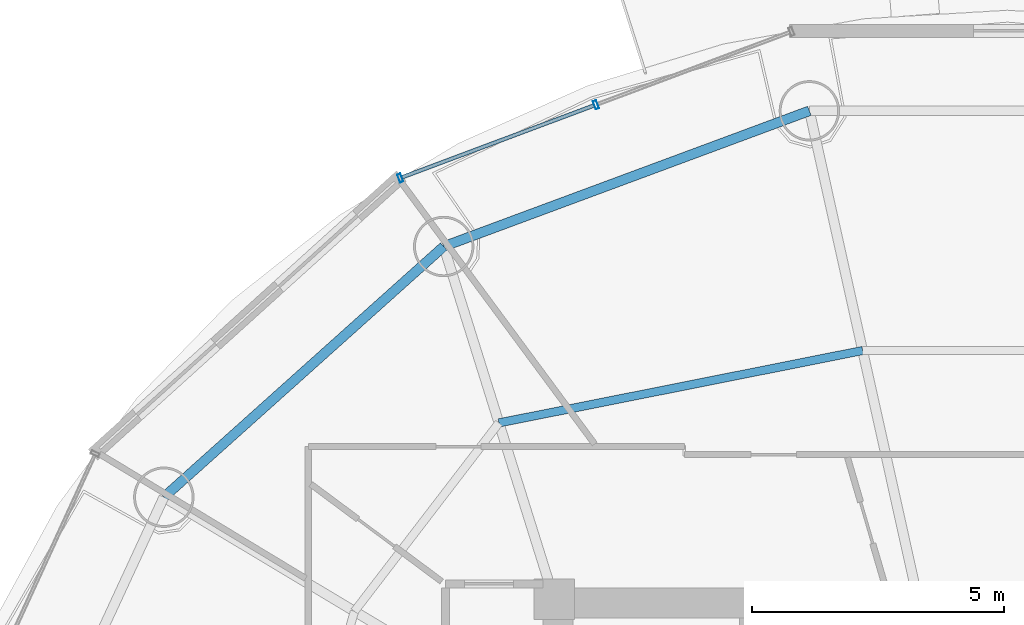
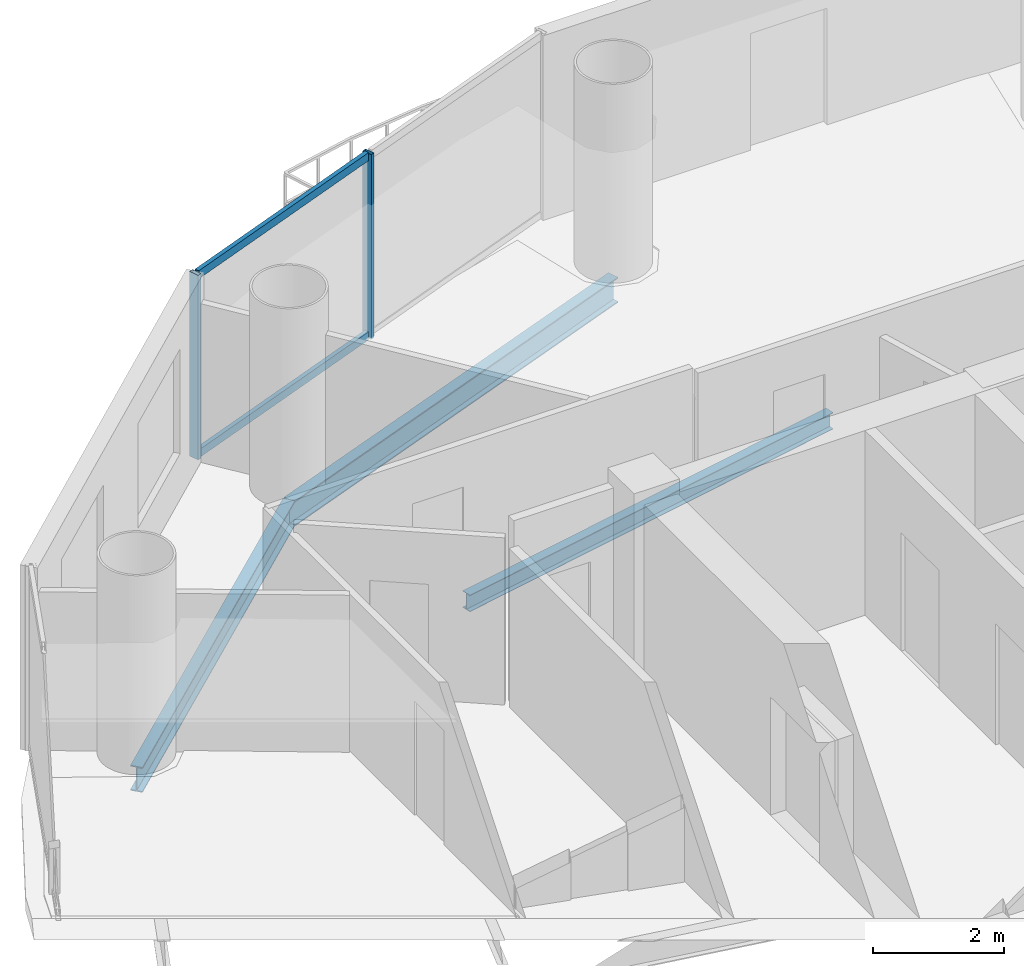
# One storey, part 15 of 26: 4 members, 3 beams, 1 element without a shape of its own.
"""IFC4 building model written with IfcOpenShell, lengths in metres."""

from ifc_helpers import new_model, si_unit, direction, frame, origin, origin_2d, place, context, subcontext, project, spatial, hollow_rectangle, i_section, extrude, source, transform, mapped, material, material_profile, profile_set, type_object, element, aggregate, save


model = new_model("IFC4")

# Units and contexts
model_context = context("Model", 3, precision=1e-05, world=origin(), true_north=direction((-0.2419218956, 0.970295726276)))
body_context = subcontext(model_context, "Body", "Model", "MODEL_VIEW")
ifc_project = project(units=[si_unit("LENGTHUNIT", "METRE"), si_unit("AREAUNIT", "SQUARE_METRE"), si_unit("VOLUMEUNIT", "CUBIC_METRE"), si_unit("PLANEANGLEUNIT", "RADIAN"), si_unit("MASSUNIT", "GRAM", prefix="KILO")], contexts=[model_context])

# Site, building, storey
site_placement = place(None, origin())
site = spatial("IfcSite", under=ifc_project, at=site_placement, CompositionType="ELEMENT")
building_placement = place(site_placement, origin())
building = spatial("IfcBuilding", under=site, at=building_placement, Name="Cobrevalo Terracotta Tower", CompositionType="ELEMENT")
storey_placement = place(building_placement, frame((0.0, 0.0, 231.89990234375)))
storey = spatial("IfcBuildingStorey", under=building, at=storey_placement, Name="L61", CompositionType="ELEMENT", Elevation=231.89990234375)

# Beams
ifc_material_1 = material(Name="Steel S355", Category="steel")
ifc_material_profile_1 = material_profile(ifc_material_1, i_section(OverallWidth=0.1650390625, OverallDepth=0.31005859375, WebThickness=0.005859375, FlangeThickness=0.009765625, at=origin_2d()), Name="W 310x38.7")
ifc_profile_set_1 = profile_set([ifc_material_profile_1], Name="Steel S355")
beam_type_1 = type_object("IfcBeamType", Name="Structural Joist W 310x38.7 (Steel S355)", PredefinedType="JOIST", material=ifc_profile_set_1)
beam_1_placement = place(storey_placement, frame((35.126220703125, 39.74169921875, -0.419921875), z_axis=(-0.980762562197, -0.195204499418, 0.0), x_axis=(0.195204499418, -0.980762562197, 0.0)))
element("IfcBeam", 1, at=beam_1_placement, inside=storey, type_object=beam_type_1, Name="L61 circumferential secondary floor joist 05", PredefinedType="JOIST", context=body_context, shape_type="SweptSolid", body=[
    extrude(i_section(OverallWidth=0.1650390625, OverallDepth=0.31005859375, WebThickness=0.005859375, FlangeThickness=0.009765625, at=origin_2d()), origin(), (0.0, 0.0, 1.0), 7.365234375),
])
ifc_material_profile_2 = material_profile(ifc_material_1, i_section(OverallWidth=0.194091796875, OverallDepth=0.468994140625, WebThickness=0.011474609375, FlangeThickness=0.0205078125, at=origin_2d()), Name="W 460x106")
ifc_profile_set_2 = profile_set([ifc_material_profile_2], Name="Steel S355")
beam_type_2 = type_object("IfcBeamType", Name="Structural Spandrel W 460x106 (Steel S355)", PredefinedType="SPANDREL", material=ifc_profile_set_2)
beam_2_placement = place(storey_placement, frame((34.06884765625, 44.503173828125, -0.49951171875), z_axis=(-0.937545996665, -0.347861328892, 0.0), x_axis=(0.347861328892, -0.937545996665, 0.0)))
element("IfcBeam", 2, at=beam_2_placement, inside=storey, type_object=beam_type_2, Name="L61 perimeter ring spandrel 05", PredefinedType="SPANDREL", context=body_context, shape_type="SweptSolid", body=[
    extrude(i_section(OverallWidth=0.194091796875, OverallDepth=0.468994140625, WebThickness=0.011474609375, FlangeThickness=0.0205078125, at=origin_2d()), origin(), (0.0, 0.0, 1.0), 7.74755859375),
])
beam_3_placement = place(storey_placement, frame((26.80517578125, 41.80810546875, -0.49951171875), z_axis=(-0.744851930997, -0.667229796165, 0.0), x_axis=(0.667229796165, -0.744851930997, 0.0)))
element("IfcBeam", 3, at=beam_3_placement, inside=storey, type_object=beam_type_2, Name="L61 perimeter ring spandrel 06", PredefinedType="SPANDREL", context=body_context, shape_type="SweptSolid", body=[
    extrude(i_section(OverallWidth=0.194091796875, OverallDepth=0.468994140625, WebThickness=0.011474609375, FlangeThickness=0.0205078125, at=origin_2d()), origin(), (0.0, 0.0, 1.0), 7.463623046875),
])

# Curtain wall, members
ifc_material_2 = material(Name="Anodized aluminium", Category="aluminium")
curtain_wall_type = type_object("IfcCurtainWallType", Name="Mid-tower high-wind unitised curtain wall CW-U2", PredefinedType="NOTDEFINED", material=ifc_material_2)
curtain_wall_placement = place(storey_placement, origin())
curtain_wall = element("IfcCurtainWall", 4, at=curtain_wall_placement, inside=storey, type_object=curtain_wall_type, Name="L61 curtain wall CW-L61-S05", PredefinedType="NOTDEFINED")
ifc_material_profile_3 = material_profile(ifc_material_2, hollow_rectangle(XDim=0.074951171875, YDim=0.14990234375, WallThickness=0.00439453125, at=origin_2d()), Name="CWT 75x150")
ifc_profile_set_3 = profile_set([ifc_material_profile_3], Name="Anodized aluminium")
member_type_1 = type_object("IfcMemberType", Name="Tower unitised aluminium transom 75x150", PredefinedType="USERDEFINED", material=ifc_profile_set_3)
shared_shape_1 = source(origin(), body_context, "Body", "SweptSolid", [
    extrude(hollow_rectangle(XDim=0.074951171875, YDim=0.14990234375, WallThickness=0.00439453125, at=origin_2d()), origin(), (0.0, 0.0, 1.0), 4.069580078125),
])
member_1_placement = place(storey_placement, frame((29.79150390625, 44.609619140625, 0.050048828125), z_axis=(-0.936548420649, -0.350538237259, 0.0), x_axis=(0.350538237259, -0.936548420649, 0.0)))
member_1 = element("IfcMember", 5, at=member_1_placement, type_object=member_type_1, Name="CW-L61-S05 transom B02-T1", ObjectType="TRANSOM", PredefinedType="USERDEFINED", context=body_context, shape_type="MappedRepresentation", body=[
    mapped(shared_shape_1, transform((0.0, 0.0, 0.0), scale=1.0)),
])
member_2_placement = place(storey_placement, frame((29.79150390625, 44.609619140625, 3.385009765625), z_axis=(-0.936548420649, -0.350538237259, 0.0), x_axis=(0.350538237259, -0.936548420649, 0.0)))
member_2 = element("IfcMember", 6, at=member_2_placement, type_object=member_type_1, Name="CW-L61-S05 transom B02-T2", ObjectType="TRANSOM", PredefinedType="USERDEFINED", context=body_context, shape_type="MappedRepresentation", body=[
    mapped(shared_shape_1, transform((0.0, 0.0, 0.0), scale=1.0)),
])
ifc_material_profile_4 = material_profile(ifc_material_2, hollow_rectangle(XDim=0.070068359375, YDim=0.169921875, WallThickness=0.00439453125, at=origin_2d()), Name="CWM 70x170")
ifc_profile_set_4 = profile_set([ifc_material_profile_4], Name="Anodized aluminium")
member_type_2 = type_object("IfcMemberType", Name="Upper tower unitised mullion 70x170", PredefinedType="MULLION", material=ifc_profile_set_4)
shared_shape_2 = source(origin(), body_context, "Body", "SweptSolid", [
    extrude(hollow_rectangle(XDim=0.070068359375, YDim=0.169921875, WallThickness=0.00439453125, at=origin_2d()), origin(), (0.0, 0.0, 1.0), 3.43505859375),
])
member_3_placement = place(storey_placement, frame((29.8291015625, 44.62353515625, 0.0), z_axis=(0.0, 0.0, 1.0), x_axis=(-0.936556004584, -0.350517974259, 0.0)))
member_3 = element("IfcMember", 7, at=member_3_placement, type_object=member_type_2, Name="CW-L61-S05 vertical mullion 02", PredefinedType="MULLION", context=body_context, shape_type="MappedRepresentation", body=[
    mapped(shared_shape_2, transform((0.0, 0.0, 0.0), scale=1.0)),
])
member_4_placement = place(storey_placement, frame((25.942626953125, 43.1689453125, 0.0), z_axis=(0.0, 0.0, 1.0), x_axis=(-0.936556004584, -0.350517974259, 0.0)))
member_4 = element("IfcMember", 8, at=member_4_placement, type_object=member_type_2, Name="CW-L61-S05 vertical mullion 03", PredefinedType="MULLION", context=body_context, shape_type="MappedRepresentation", body=[
    mapped(shared_shape_2, transform((0.0, 0.0, 0.0), scale=1.0)),
])
aggregate(curtain_wall, [member_3, member_4, member_1, member_2])

save(model, "model.ifc")
